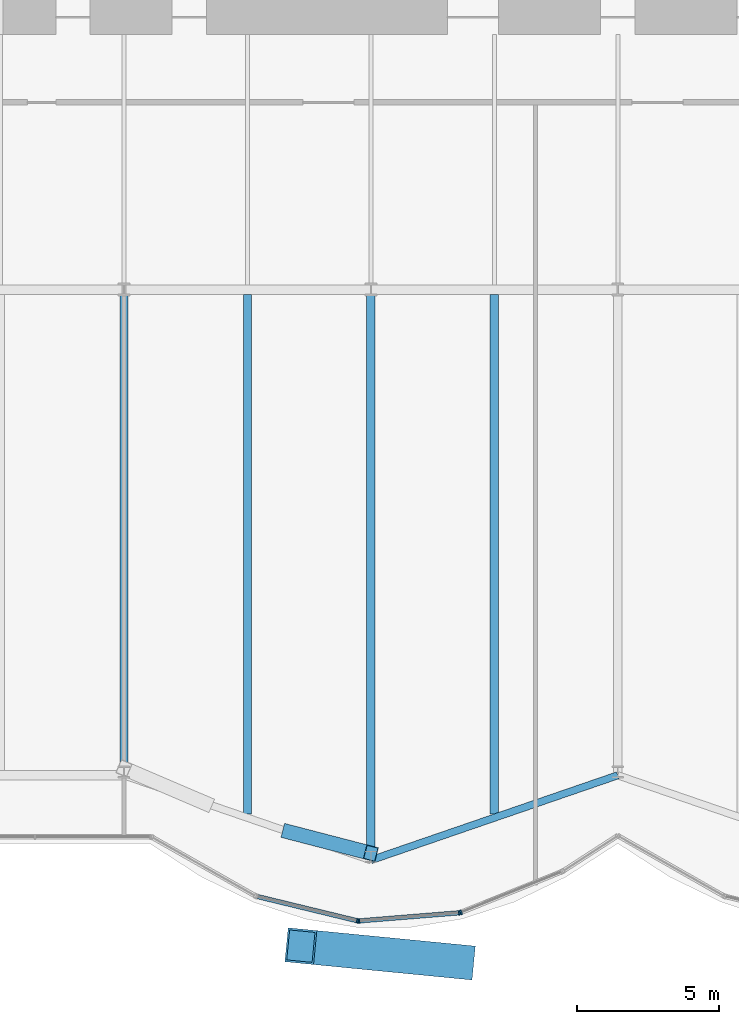
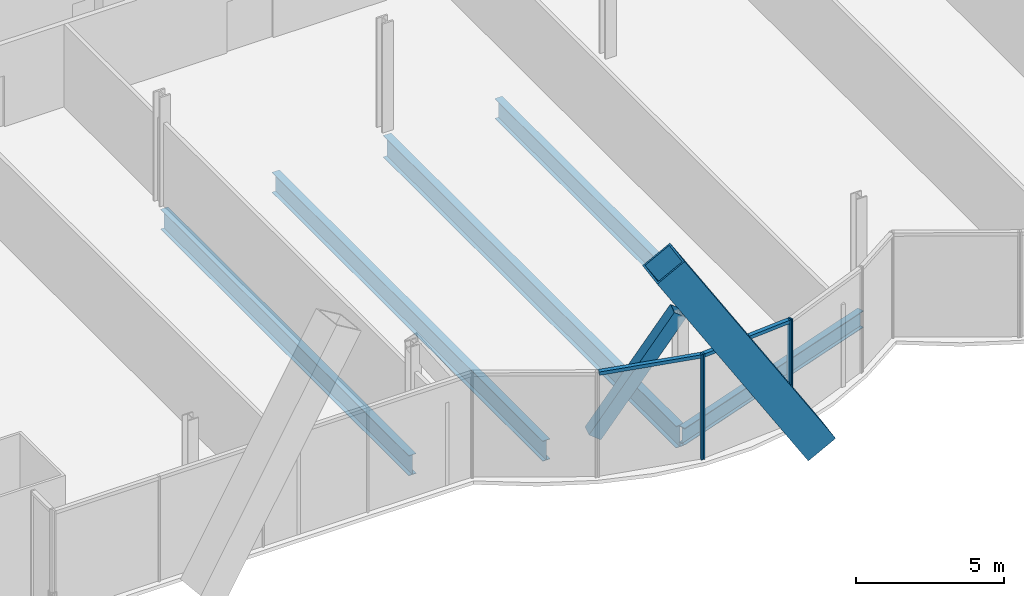
# One storey, part 5 of 23: 8 members, 5 beams, 1 element without a shape of its own.
"""IFC4 building model written with IfcOpenShell, lengths in metres."""

from ifc_helpers import new_model, si_unit, direction, frame, origin, origin_2d, place, context, subcontext, project, spatial, rectangle, hollow_rectangle, i_section, extrude, material, material_profile, profile_set, type_object, element, aggregate, save


model = new_model("IFC4")

# Units and contexts
model_context = context("Model", 3, precision=1e-05, world=origin(), true_north=direction((0.0, 1.0)))
body_context = subcontext(model_context, "Body", "Model", "MODEL_VIEW")
ifc_project = project(units=[si_unit("LENGTHUNIT", "METRE"), si_unit("AREAUNIT", "SQUARE_METRE"), si_unit("VOLUMEUNIT", "CUBIC_METRE"), si_unit("PLANEANGLEUNIT", "RADIAN"), si_unit("MASSUNIT", "GRAM", prefix="KILO")], contexts=[model_context])

# Site, building, storey
site_placement = place(None, origin())
site = spatial("IfcSite", under=ifc_project, at=site_placement, CompositionType="ELEMENT")
building_placement = place(site_placement, origin())
building = spatial("IfcBuilding", under=site, at=building_placement, Name="Bicima Exchange Tower", CompositionType="ELEMENT")
storey_placement = place(building_placement, frame((0.0, 0.0, 44.0)))
storey = spatial("IfcBuildingStorey", under=building, at=storey_placement, Name="L08", CompositionType="ELEMENT", Elevation=44.0)

# Member
ifc_material_1 = material(Name="Steel ASTM A572 Gr 50", Category="steel")
ifc_material_profile_1 = material_profile(ifc_material_1, hollow_rectangle(XDim=1.199951171875, YDim=1.199951171875, WallThickness=0.070068359375, at=origin_2d()))
ifc_profile_set_1 = profile_set([ifc_material_profile_1], Name="Steel ASTM A572 Gr 50")
member_type_1 = type_object("IfcMemberType", Name="Exo mega brace BOX 1200x1200x70", PredefinedType="BRACE", material=ifc_profile_set_1)
member_1_placement = place(storey_placement, frame((-5.583251953125, -45.67822265625, 0.375), z_axis=(-0.529653366281, 0.051737893322, 0.846634810282), x_axis=(-0.097219824756, -0.995262932935, 0.0)))
element("IfcMember", 1, at=member_1_placement, inside=storey, type_object=member_type_1, Name="Exo mega brace front", PredefinedType="BRACE", context=body_context, shape_type="SweptSolid", body=[
    extrude(hollow_rectangle(XDim=1.199951171875, YDim=1.199951171875, WallThickness=0.070068359375, at=origin_2d()), origin(), (0.0, 0.0, 1.0), 10.541748046875),
])

# Beams
ifc_material_2 = material(Name="Steel ASTM A992 Gr 50", Category="steel")
ifc_material_profile_2 = material_profile(ifc_material_2, i_section(OverallWidth=0.2919921875, OverallDepth=0.835693359375, WebThickness=0.013916015625, FlangeThickness=0.018798828125, at=origin_2d()))
ifc_profile_set_2 = profile_set([ifc_material_profile_2], Name="Steel ASTM A992 Gr 50")
beam_type_1 = type_object("IfcBeamType", Name="Floor beam W33x118", PredefinedType="JOIST", material=ifc_profile_set_2)
beam_1_placement = place(storey_placement, frame((-17.39990234375, -22.16259765625, -0.56787109375), z_axis=(0.0, -1.0, 0.0), x_axis=(1.0, 0.0, 0.0)))
element("IfcBeam", 2, at=beam_1_placement, inside=storey, type_object=beam_type_1, Name="Floor beam", PredefinedType="JOIST", context=body_context, shape_type="SweptSolid", body=[
    extrude(i_section(OverallWidth=0.2919921875, OverallDepth=0.835693359375, WebThickness=0.013916015625, FlangeThickness=0.018798828125, at=origin_2d()), origin(), (0.0, 0.0, 1.0), 16.786865234375),
])
for number, where, z_axis, x_axis, name in (
    (3, (-13.050048828125, -22.16259765625, -0.56787109375), (0.0, -1.0, 0.0), (1.0, 0.0, 0.0), "Floor beam"),
    (4, (-4.35009765625, -22.16259765625, -0.56787109375), (0.0, -1.0, 0.0), (1.0, 0.0, 0.0), "Floor beam"),
):
    element("IfcBeam", number, at=place(storey_placement, frame(where, z_axis=z_axis, x_axis=x_axis)), inside=storey, type_object=beam_type_1, Name=name, PredefinedType="JOIST", context=body_context, shape_type="SweptSolid", body=[
        extrude(i_section(OverallWidth=0.2919921875, OverallDepth=0.835693359375, WebThickness=0.013916015625, FlangeThickness=0.018798828125, at=origin_2d()), origin(), (0.0, 0.0, 1.0), 18.309326171875),
    ])
ifc_material_profile_3 = material_profile(ifc_material_2, i_section(OverallWidth=0.3046875, OverallDepth=0.904296875, WebThickness=0.01513671875, FlangeThickness=0.02001953125, at=origin_2d()))
ifc_profile_set_3 = profile_set([ifc_material_profile_3], Name="Steel ASTM A992 Gr 50")
beam_type_2 = type_object("IfcBeamType", Name="Floor beam W36x135", PredefinedType="JOIST", material=ifc_profile_set_3)
beam_2_placement = place(storey_placement, frame((-8.699951171875, -22.16259765625, -0.60205078125), z_axis=(0.0, -1.0, 0.0), x_axis=(1.0, 0.0, 0.0)))
element("IfcBeam", 5, at=beam_2_placement, inside=storey, type_object=beam_type_2, Name="Floor beam", PredefinedType="JOIST", context=body_context, shape_type="SweptSolid", body=[
    extrude(i_section(OverallWidth=0.3046875, OverallDepth=0.904296875, WebThickness=0.01513671875, FlangeThickness=0.02001953125, at=origin_2d()), origin(), (0.0, 0.0, 1.0), 19.8046875),
])
ifc_material_profile_4 = material_profile(ifc_material_2, i_section(OverallWidth=0.256591796875, OverallDepth=0.693359375, WebThickness=0.014404296875, FlangeThickness=0.023681640625, at=origin_2d()))
ifc_profile_set_4 = profile_set([ifc_material_profile_4], Name="Steel ASTM A992 Gr 50")
beam_type_3 = type_object("IfcBeamType", Name="Front girder W27x114", PredefinedType="BEAM", material=ifc_profile_set_4)
beam_3_placement = place(storey_placement, frame((-8.699951171875, -42.10302734375, -0.49658203125), z_axis=(0.945674616091, 0.32511462668, 0.0), x_axis=(-0.32511462668, 0.945674616091, 0.0)))
element("IfcBeam", 6, at=beam_3_placement, inside=storey, type_object=beam_type_3, Name="Front girder", PredefinedType="BEAM", context=body_context, shape_type="SweptSolid", body=[
    extrude(i_section(OverallWidth=0.256591796875, OverallDepth=0.693359375, WebThickness=0.014404296875, FlangeThickness=0.023681640625, at=origin_2d()), origin(), (0.0, 0.0, 1.0), 9.19970703125),
])

# Curtain wall, members
ifc_material_3 = material(Name="Anodised bronze aluminium", Category="aluminium")
curtain_wall_type = type_object("IfcCurtainWallType", Name="Front glass wall", PredefinedType="NOTDEFINED", material=ifc_material_3)
curtain_wall_placement = place(storey_placement, origin())
curtain_wall = element("IfcCurtainWall", 7, at=curtain_wall_placement, inside=storey, type_object=curtain_wall_type, Name="Front glass wall L08 run 6", PredefinedType="NOTDEFINED")
ifc_material_profile_5 = material_profile(ifc_material_3, rectangle(XDim=0.159912109375, YDim=0.06005859375, at=origin_2d()))
ifc_profile_set_5 = profile_set([ifc_material_profile_5], Name="Anodised bronze aluminium")
member_type_2 = type_object("IfcMemberType", Name="Front glass wall mullion 60 x 160", PredefinedType="MULLION", material=ifc_profile_set_5)
member_2_placement = place(storey_placement, frame((-9.177490234375, -44.23779296875, 0.0), z_axis=(0.0, 0.0, 1.0), x_axis=(0.235681529503, 0.971830343553, 0.0)))
member_2 = element("IfcMember", 8, at=member_2_placement, type_object=member_type_2, Name="Front glass wall mullion 2", PredefinedType="MULLION", context=body_context, shape_type="SweptSolid", body=[
    extrude(rectangle(XDim=0.159912109375, YDim=0.06005859375, at=origin_2d()), origin(), (0.0, 0.0, 1.0), 4.35009765625),
])
member_3_placement = place(storey_placement, frame((-9.118408203125, -44.24267578125, 0.0), z_axis=(0.0, 0.0, 1.0), x_axis=(-0.080588612633, 0.99674744821, 0.0)))
member_3 = element("IfcMember", 9, at=member_3_placement, type_object=member_type_2, Name="Front glass wall mullion 1", PredefinedType="MULLION", context=body_context, shape_type="SweptSolid", body=[
    extrude(rectangle(XDim=0.159912109375, YDim=0.06005859375, at=origin_2d()), origin(), (0.0, 0.0, 1.0), 4.35009765625),
])
member_4_placement = place(storey_placement, frame((-5.583984375, -43.956787109375, 0.0), z_axis=(0.0, 0.0, 1.0), x_axis=(-0.080588612633, 0.99674744821, 0.0)))
member_4 = element("IfcMember", 10, at=member_4_placement, type_object=member_type_2, Name="Front glass wall mullion 2", PredefinedType="MULLION", context=body_context, shape_type="SweptSolid", body=[
    extrude(rectangle(XDim=0.159912109375, YDim=0.06005859375, at=origin_2d()), origin(), (0.0, 0.0, 1.0), 4.35009765625),
])
member_5_placement = place(storey_placement, frame((-5.526123046875, -43.943115234375, 0.0), z_axis=(0.0, 0.0, 1.0), x_axis=(-0.374705304, 0.92714396679, 0.0)))
member_5 = element("IfcMember", 11, at=member_5_placement, type_object=member_type_2, Name="Front glass wall mullion 1", PredefinedType="MULLION", context=body_context, shape_type="SweptSolid", body=[
    extrude(rectangle(XDim=0.159912109375, YDim=0.06005859375, at=origin_2d()), origin(), (0.0, 0.0, 1.0), 4.35009765625),
])
ifc_material_profile_6 = material_profile(ifc_material_3, rectangle(XDim=0.159912109375, YDim=0.139892578125, at=origin_2d()))
ifc_profile_set_6 = profile_set([ifc_material_profile_6], Name="Anodised bronze aluminium")
member_type_3 = type_object("IfcMemberType", Name="Front glass wall transom 140 x 160", PredefinedType="USERDEFINED", material=ifc_profile_set_6)
member_6_placement = place(storey_placement, frame((-12.68896484375, -43.38623046875, 4.280029296875), z_axis=(0.971817951661, -0.235732621477, 0.0), x_axis=(0.235732621477, 0.971817951661, 0.0)))
member_6 = element("IfcMember", 12, at=member_6_placement, type_object=member_type_3, Name="Front glass wall transom 1.1", ObjectType="TRANSOM", PredefinedType="USERDEFINED", context=body_context, shape_type="SweptSolid", body=[
    extrude(rectangle(XDim=0.159912109375, YDim=0.139892578125, at=origin_2d()), origin(), (0.0, 0.0, 1.0), 3.58349609375),
])
member_7_placement = place(storey_placement, frame((-9.08837890625, -44.240234375, 4.280029296875), z_axis=(0.9967456465, 0.080610893699, 0.0), x_axis=(-0.080610893699, 0.9967456465, 0.0)))
member_7 = element("IfcMember", 13, at=member_7_placement, type_object=member_type_3, Name="Front glass wall transom 1.1", ObjectType="TRANSOM", PredefinedType="USERDEFINED", context=body_context, shape_type="SweptSolid", body=[
    extrude(rectangle(XDim=0.159912109375, YDim=0.139892578125, at=origin_2d()), origin(), (0.0, 0.0, 1.0), 3.48583984375),
])
aggregate(curtain_wall, [member_2, member_6, member_3, member_4, member_7, member_5])

# Member
ifc_material_profile_7 = material_profile(ifc_material_1, hollow_rectangle(XDim=0.508056640625, YDim=0.508056640625, WallThickness=0.017822265625, at=origin_2d()))
ifc_profile_set_7 = profile_set([ifc_material_profile_7], Name="Steel ASTM A572 Gr 50")
member_type_4 = type_object("IfcMemberType", Name="Mega brace HSS20x20x3/4", PredefinedType="BRACE", material=ifc_profile_set_7)
member_8_placement = place(storey_placement, frame((-11.60009765625, -41.10595703125, 0.0), z_axis=(0.536437945058, -0.139314004588, 0.832361663718), x_axis=(0.251363668904, 0.967892714073, 0.0)))
element("IfcMember", 14, at=member_8_placement, inside=storey, type_object=member_type_4, Name="Mega brace front", PredefinedType="BRACE", context=body_context, shape_type="SweptSolid", body=[
    extrude(hollow_rectangle(XDim=0.508056640625, YDim=0.508056640625, WallThickness=0.017822265625, at=origin_2d()), origin(), (0.0, 0.0, 1.0), 5.40625),
])

save(model, "model.ifc")
